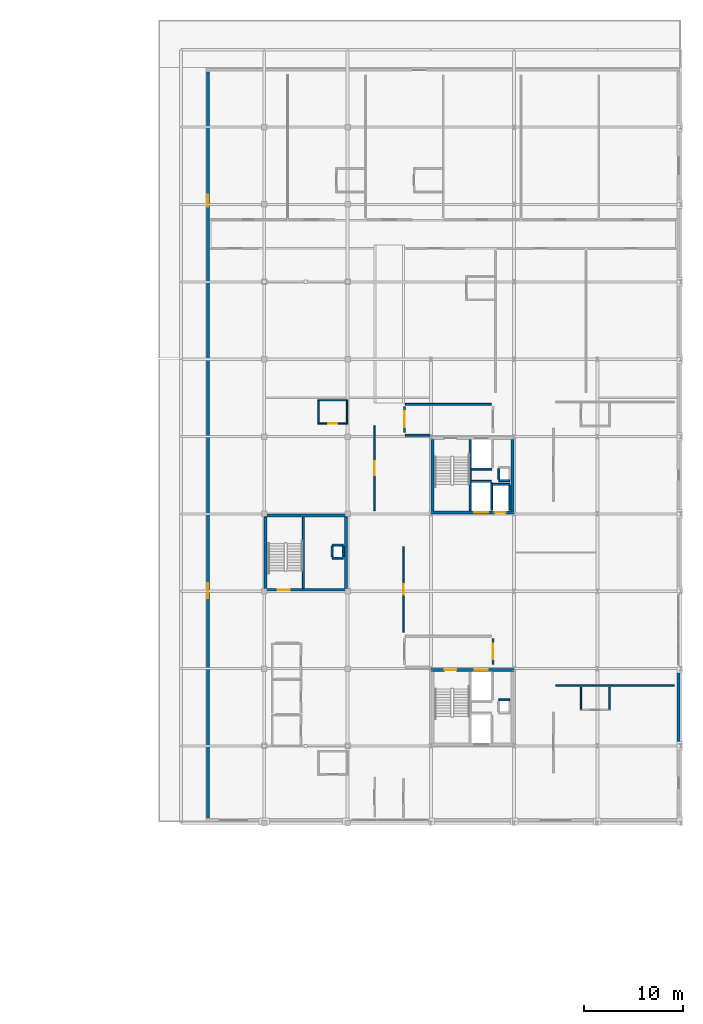
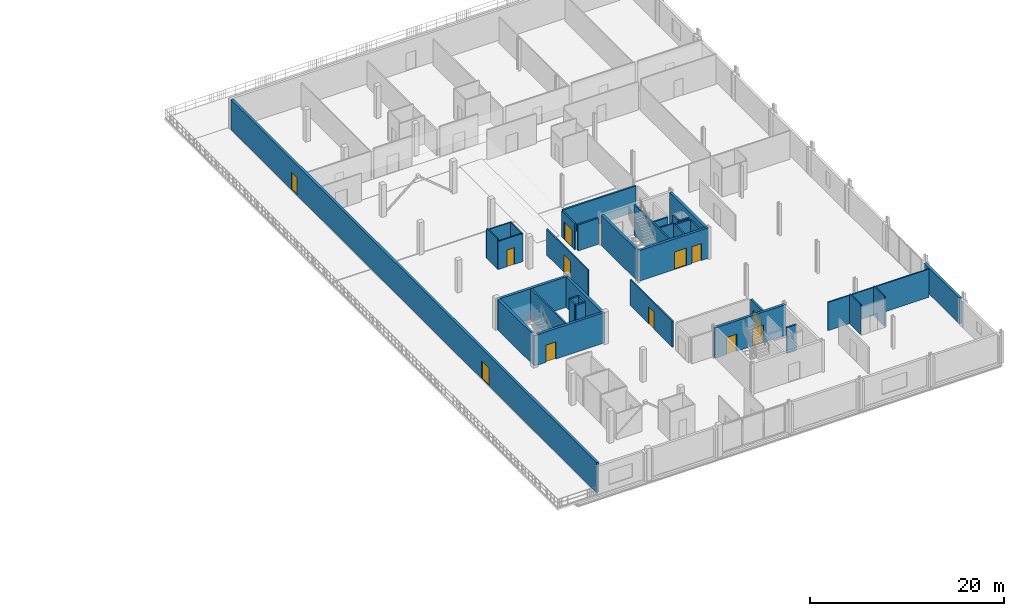
# One storey, part 11 of 20: 37 walls, 12 doors, 12 openings.
"""IFC4 building model written with IfcOpenShell, lengths in metres."""

from ifc_helpers import new_model, si_unit, direction, frame, frame_2d, origin, place, context, subcontext, project, spatial, rectangle, extrude, material, layer, layer_set, type_object, element, fill, save


model = new_model("IFC4")

# Units and contexts
model_context = context("Model", 3, precision=1e-05, world=origin(), true_north=direction((0.0, 1.0)))
body_context = subcontext(model_context, "Body", "Model", "MODEL_VIEW")
ifc_project = project(units=[si_unit("LENGTHUNIT", "METRE"), si_unit("AREAUNIT", "SQUARE_METRE"), si_unit("VOLUMEUNIT", "CUBIC_METRE"), si_unit("PLANEANGLEUNIT", "RADIAN"), si_unit("MASSUNIT", "GRAM", prefix="KILO")], contexts=[model_context])

# Site, building, storey
site_placement = place(None, origin())
site = spatial("IfcSite", under=ifc_project, at=site_placement, CompositionType="ELEMENT")
building_placement = place(site_placement, origin())
building = spatial("IfcBuilding", under=site, at=building_placement, Name="Nabrawat Pavilion Hospital", CompositionType="ELEMENT")
storey_placement = place(building_placement, frame((0.0, 0.0, 27.0)))
storey = spatial("IfcBuildingStorey", under=building, at=storey_placement, Name="L06", CompositionType="ELEMENT", Elevation=27.0)

# Wall, opening, door
ifc_material_1 = material(Name="Gypsum Fireboard on Steel Stud", Category="steel")
ifc_layer_1 = layer(ifc_material_1, 0.14990234375, Name="Gypsum Fireboard on Steel Stud")
ifc_layer_set_1 = layer_set([ifc_layer_1], Name="Gypsum Fireboard on Steel Stud")
wall_type_1 = type_object("IfcWallType", Name="Clinical Corridor Smoke-Barrier Wall 150", PredefinedType="PARTITIONING", material=ifc_layer_set_1)
wall_1_placement = place(storey_placement, frame((162.3349609375, 70.52001953125, 0.0), z_axis=(0.0, 0.0, 1.0), x_axis=(0.0, 1.0, 0.0)))
wall_1 = element("IfcWall", 1, at=wall_1_placement, inside=storey, type_object=wall_type_1, Name="L06 Inpatient Ward Video-EEG Telemetry Bedroom L06-02 Front Partition", PredefinedType="PARTITIONING", context=body_context, shape_type="SweptSolid", body=[
    extrude(rectangle(XDim=8.550048828125, YDim=0.14990234375, at=frame_2d((4.27490234375, 0.0))), origin(), (0.0, 0.0, 1.0), 3.260009765625),
])
opening_1_placement = place(wall_1_placement, frame((3.574951171875, 0.0, 0.0)))
opening_1 = element("IfcOpeningElement", 2, at=opening_1_placement, cuts=wall_1, Name="Opening D-BED", PredefinedType="OPENING", context=body_context, shape_type="SweptSolid", body=[
    extrude(rectangle(XDim=1.39990234375, YDim=2.199951171875, at=frame_2d((0.699951171875, 1.10009765625))), frame((0.0, 0.0849609375, 0.0), z_axis=(0.0, -1.0, 0.0), x_axis=(1.0, 0.0, 0.0)), (0.0, 0.0, 1.0), 0.169921875),
])
ifc_material_2 = material(Name="Stainless-Clad Acoustic Timber and Vision Glass", Category="wood")
door_type_1 = type_object("IfcDoorType", Name="D-BED Inpatient Ward Leaf-and-a-Half Door 1400x2200", OperationType="NOTDEFINED", PredefinedType="DOOR", material=ifc_material_2)
door_1_placement = place(opening_1_placement, origin())
door_1 = element("IfcDoor", 3, at=door_1_placement, inside=storey, type_object=door_type_1, Name="Inpatient Ward Video-EEG Telemetry Bedroom L06-02 Door", OperationType="SINGLE_SWING_LEFT", OverallHeight=2.199951171875, OverallWidth=1.39990234375, PredefinedType="DOOR", context=body_context, shape_type="SweptSolid", body=[
    extrude(rectangle(XDim=1.39990234375, YDim=2.199951171875, at=frame_2d((0.699951171875, 1.10009765625))), frame((0.0, 0.02490234375, 0.0), z_axis=(0.0, -1.0, 0.0), x_axis=(1.0, 0.0, 0.0)), (0.0, 0.0, 1.0), 0.050048828125),
])
fill(opening_1, door_1)

wall_2_placement = place(storey_placement, frame((165.264892578125, 58.25, 0.0), z_axis=(0.0, 0.0, 1.0), x_axis=(0.0, 1.0, 0.0)))
wall_2 = element("IfcWall", 4, at=wall_2_placement, inside=storey, type_object=wall_type_1, Name="L06 Neurology Sub-Acute Clinical Assessment Suite L06-04 Front Partition", PredefinedType="PARTITIONING", context=body_context, shape_type="SweptSolid", body=[
    extrude(rectangle(XDim=8.64990234375, YDim=0.14990234375, at=frame_2d((4.324951171875, 0.0))), origin(), (0.0, 0.0, 1.0), 3.260009765625),
])
opening_2_placement = place(wall_2_placement, frame((3.800048828125, 0.0, 0.0)))
opening_2 = element("IfcOpeningElement", 5, at=opening_2_placement, cuts=wall_2, Name="Opening D-OPC-L", PredefinedType="OPENING", context=body_context, shape_type="SweptSolid", body=[
    extrude(rectangle(XDim=1.050048828125, YDim=2.14990234375, at=frame_2d((0.52490234375, 1.074951171875))), frame((0.0, 0.0849609375, 0.0), z_axis=(0.0, -1.0, 0.0), x_axis=(1.0, 0.0, 0.0)), (0.0, 0.0, 1.0), 0.169921875),
])
door_type_2 = type_object("IfcDoorType", Name="Outpatient Clinic Consultation Door L 1050x2150", OperationType="NOTDEFINED", PredefinedType="DOOR", material=ifc_material_2)
door_2_placement = place(opening_2_placement, origin())
door_2 = element("IfcDoor", 6, at=door_2_placement, inside=storey, type_object=door_type_2, Name="Neurology Sub-Acute Clinical Assessment Suite L06-04 Door", OperationType="SINGLE_SWING_RIGHT", OverallHeight=2.14990234375, OverallWidth=1.050048828125, PredefinedType="DOOR", context=body_context, shape_type="SweptSolid", body=[
    extrude(rectangle(XDim=1.050048828125, YDim=2.14990234375, at=frame_2d((0.52490234375, 1.074951171875))), frame((0.0, 0.02490234375, 0.0), z_axis=(0.0, -1.0, 0.0), x_axis=(1.0, 0.0, 0.0)), (0.0, 0.0, 1.0), 0.050048828125),
])
fill(opening_2, door_2)

ifc_material_3 = material(Name="Cement Board on Steel Stud", Category="steel")
ifc_layer_2 = layer(ifc_material_3, 0.1298828125, Name="Cement Board on Steel Stud")
ifc_layer_set_2 = layer_set([ifc_layer_2], Name="Cement Board on Steel Stud")
wall_type_2 = type_object("IfcWallType", Name="En-Suite Moisture-Resistant Partition 130", PredefinedType="PARTITIONING", material=ifc_layer_set_2)
wall_3_placement = place(storey_placement, frame((156.6201171875, 79.31005859375, 0.0), z_axis=(0.0, 0.0, 1.0), x_axis=(1.0, 0.0, 0.0)))
wall_3 = element("IfcWall", 7, at=wall_3_placement, inside=storey, type_object=wall_type_2, Name="L06 En-Suite Bathroom WRD-EPI-02 Front Partition", PredefinedType="PARTITIONING", context=body_context, shape_type="SweptSolid", body=[
    extrude(rectangle(XDim=2.97998046875, YDim=0.1298828125, at=frame_2d((1.489990234375, 0.0))), origin(), (0.0, 0.0, 1.0), 3.5400390625),
])
opening_3_placement = place(wall_3_placement, frame((1.0400390625, 0.0, 0.0)))
opening_3 = element("IfcOpeningElement", 8, at=opening_3_placement, cuts=wall_3, Name="Opening D-ENS-L", PredefinedType="OPENING", context=body_context, shape_type="SweptSolid", body=[
    extrude(rectangle(XDim=0.89990234375, YDim=2.10009765625, at=frame_2d((0.449951171875, 1.050048828125))), frame((0.0, 0.074951171875, 0.0), z_axis=(0.0, -1.0, 0.0), x_axis=(1.0, 0.0, 0.0)), (0.0, 0.0, 1.0), 0.14990234375),
])
door_type_3 = type_object("IfcDoorType", Name="En-Suite Bathroom Outward Door L 900x2100", OperationType="NOTDEFINED", PredefinedType="DOOR", material=ifc_material_2)
door_3_placement = place(opening_3_placement, origin())
door_3 = element("IfcDoor", 9, at=door_3_placement, inside=storey, type_object=door_type_3, Name="En-Suite Bathroom WRD-EPI-02 Door", OperationType="SINGLE_SWING_RIGHT", OverallHeight=2.10009765625, OverallWidth=0.89990234375, PredefinedType="DOOR", context=body_context, shape_type="SweptSolid", body=[
    extrude(rectangle(XDim=0.89990234375, YDim=2.10009765625, at=frame_2d((0.449951171875, 1.050048828125))), frame((0.0, 0.02490234375, 0.0), z_axis=(0.0, -1.0, 0.0), x_axis=(1.0, 0.0, 0.0)), (0.0, 0.0, 1.0), 0.050048828125),
])
fill(opening_3, door_3)

# Walls
wall_4_placement = place(storey_placement, frame((156.6201171875, 81.659912109375, 0.0), z_axis=(0.0, 0.0, 1.0), x_axis=(1.0, 0.0, 0.0)))
element("IfcWall", 10, at=wall_4_placement, inside=storey, type_object=wall_type_2, Name="L06 En-Suite Bathroom WRD-EPI-02 North Partition", PredefinedType="PARTITIONING", context=body_context, shape_type="SweptSolid", body=[
    extrude(rectangle(XDim=2.97998046875, YDim=0.1298828125, at=frame_2d((1.489990234375, 0.0))), origin(), (0.0, 0.0, 1.0), 3.5400390625),
])
wall_5_placement = place(storey_placement, frame((156.68505859375, 79.375, 0.0), z_axis=(0.0, 0.0, 1.0), x_axis=(0.0, 1.0, 0.0)))
element("IfcWall", 11, at=wall_5_placement, inside=storey, type_object=wall_type_2, Name="L06 En-Suite Bathroom WRD-EPI-02 West Partition", PredefinedType="PARTITIONING", context=body_context, shape_type="SweptSolid", body=[
    extrude(rectangle(XDim=2.219970703125, YDim=0.1298828125, at=frame_2d((1.10986328125, 0.0))), origin(), (0.0, 0.0, 1.0), 3.77001953125),
])
wall_6_placement = place(storey_placement, frame((159.534912109375, 79.375, 0.0), z_axis=(0.0, 0.0, 1.0), x_axis=(0.0, 1.0, 0.0)))
element("IfcWall", 12, at=wall_6_placement, inside=storey, type_object=wall_type_2, Name="L06 En-Suite Bathroom WRD-EPI-02 East Partition", PredefinedType="PARTITIONING", context=body_context, shape_type="SweptSolid", body=[
    extrude(rectangle(XDim=2.219970703125, YDim=0.1298828125, at=frame_2d((1.10986328125, 0.0))), origin(), (0.0, 0.0, 1.0), 3.5400390625),
])
for number, where, z_axis, x_axis, name in (
    (13, (183.14990234375, 50.514892578125, 0.0), (0.0, 0.0, 1.0), (0.0, 1.0, 0.0), "L06 En-Suite Bathroom WRD-NEU-E1 West Partition"),
    (14, (186.0, 50.514892578125, 0.0), (0.0, 0.0, 1.0), (0.0, 1.0, 0.0), "L06 En-Suite Bathroom WRD-NEU-E1 East Partition"),
):
    element("IfcWall", number, at=place(storey_placement, frame(where, z_axis=z_axis, x_axis=x_axis)), inside=storey, type_object=wall_type_2, Name=name, PredefinedType="PARTITIONING", context=body_context, shape_type="SweptSolid", body=[
        extrude(rectangle(XDim=2.22021484375, YDim=0.1298828125, at=frame_2d((1.110107421875, 0.0))), origin(), (0.0, 0.0, 1.0), 3.77001953125),
    ])

# Wall, opening, door
ifc_material_4 = material(Name="Concrete C35/45", Category="concrete")
ifc_layer_3 = layer(ifc_material_4, 0.199951171875, Name="Concrete C35/45")
ifc_layer_set_3 = layer_set([ifc_layer_3], Name="Concrete C35/45")
wall_type_3 = type_object("IfcWallType", Name="Firefighting Lobby Compartment Wall 200", PredefinedType="PARTITIONING", material=ifc_layer_set_3)
wall_7_placement = place(storey_placement, frame((174.25, 55.0, 0.0), z_axis=(0.0, 0.0, 1.0), x_axis=(0.0, 1.0, 0.0)))
wall_7 = element("IfcWall", 15, at=wall_7_placement, inside=storey, type_object=wall_type_3, Name="L06 CORE-5 Firefighting Lobby East Compartment Wall", PredefinedType="PARTITIONING", context=body_context, shape_type="SweptSolid", body=[
    extrude(rectangle(XDim=2.64990234375, YDim=0.199951171875, at=frame_2d((1.324951171875, 0.0))), origin(), (0.0, 0.0, 1.0), 3.260009765625),
])
opening_4_placement = place(wall_7_placement, frame((0.52490234375, 0.0, 0.0)))
opening_4 = element("IfcOpeningElement", 16, at=opening_4_placement, cuts=wall_7, Name="Opening D-FFL", PredefinedType="OPENING", context=body_context, shape_type="SweptSolid", body=[
    extrude(rectangle(XDim=1.60009765625, YDim=2.199951171875, at=frame_2d((0.800048828125, 1.10009765625))), frame((0.0, 0.10986328125, 0.0), z_axis=(0.0, -1.0, 0.0), x_axis=(1.0, 0.0, 0.0)), (0.0, 0.0, 1.0), 0.219970703125),
])
door_type_4 = type_object("IfcDoorType", Name="D-FFL Firefighting Lobby Double Smoke Door 1600x2200", OperationType="NOTDEFINED", PredefinedType="DOOR", material=ifc_material_2)
door_4_placement = place(opening_4_placement, origin())
door_4 = element("IfcDoor", 17, at=door_4_placement, inside=storey, type_object=door_type_4, Name="L06 CORE-5 Firefighting Lobby East Smoke Door", OperationType="DOUBLE_DOOR_SINGLE_SWING", OverallHeight=2.199951171875, OverallWidth=1.60009765625, PredefinedType="DOOR", context=body_context, shape_type="SweptSolid", body=[
    extrude(rectangle(XDim=1.60009765625, YDim=2.199951171875, at=frame_2d((0.800048828125, 1.10009765625))), frame((0.0, 0.02490234375, 0.0), z_axis=(0.0, -1.0, 0.0), x_axis=(1.0, 0.0, 0.0)), (0.0, 0.0, 1.0), 0.050048828125),
])
fill(opening_4, door_4)

# Walls
wall_8_placement = place(storey_placement, frame((165.43994140625, 78.14990234375, 0.0), z_axis=(0.0, 0.0, 1.0), x_axis=(1.0, 0.0, 0.0)))
element("IfcWall", 18, at=wall_8_placement, inside=storey, type_object=wall_type_3, Name="L06 CORE-6 Firefighting Lobby South Return Wall", PredefinedType="PARTITIONING", context=body_context, shape_type="SweptSolid", body=[
    extrude(rectangle(XDim=2.43994140625, YDim=0.199951171875, at=frame_2d((1.219970703125, 0.0))), origin(), (0.0, 0.0, 1.0), 3.260009765625),
])
wall_9_placement = place(storey_placement, frame((165.43994140625, 81.25, 0.0), z_axis=(0.0, 0.0, 1.0), x_axis=(1.0, 0.0, 0.0)))
element("IfcWall", 19, at=wall_9_placement, inside=storey, type_object=wall_type_3, Name="L06 CORE-6 Firefighting Lobby North Compartment Wall", PredefinedType="PARTITIONING", context=body_context, shape_type="SweptSolid", body=[
    extrude(rectangle(XDim=8.66015625, YDim=0.199951171875, at=frame_2d((4.330078125, 0.0))), origin(), (0.0, 0.0, 1.0), 3.260009765625),
])

# Wall, opening, door
wall_10_placement = place(storey_placement, frame((165.320068359375, 78.39990234375, 0.0), z_axis=(0.0, 0.0, 1.0), x_axis=(0.0, 1.0, 0.0)))
wall_10 = element("IfcWall", 20, at=wall_10_placement, inside=storey, type_object=wall_type_3, Name="L06 CORE-6 Firefighting Lobby West Compartment Wall", PredefinedType="PARTITIONING", context=body_context, shape_type="SweptSolid", body=[
    extrude(rectangle(XDim=2.650146484375, YDim=0.199951171875, at=frame_2d((1.3251953125, 0.0))), origin(), (0.0, 0.0, 1.0), 3.260009765625),
])
opening_5_placement = place(wall_10_placement, frame((0.52490234375, 0.0, 0.0)))
opening_5 = element("IfcOpeningElement", 21, at=opening_5_placement, cuts=wall_10, Name="Opening D-FFL", PredefinedType="OPENING", context=body_context, shape_type="SweptSolid", body=[
    extrude(rectangle(XDim=1.60009765625, YDim=2.199951171875, at=frame_2d((0.800048828125, 1.10009765625))), frame((0.0, 0.10986328125, 0.0), z_axis=(0.0, -1.0, 0.0), x_axis=(1.0, 0.0, 0.0)), (0.0, 0.0, 1.0), 0.219970703125),
])
door_5_placement = place(opening_5_placement, origin())
door_5 = element("IfcDoor", 22, at=door_5_placement, inside=storey, type_object=door_type_4, Name="L06 CORE-6 Firefighting Lobby West Smoke Door", OperationType="DOUBLE_DOOR_SINGLE_SWING", OverallHeight=2.199951171875, OverallWidth=1.60009765625, PredefinedType="DOOR", context=body_context, shape_type="SweptSolid", body=[
    extrude(rectangle(XDim=1.60009765625, YDim=2.199951171875, at=frame_2d((0.800048828125, 1.10009765625))), frame((0.0, 0.02490234375, 0.0), z_axis=(0.0, -1.0, 0.0), x_axis=(1.0, 0.0, 0.0)), (0.0, 0.0, 1.0), 0.050048828125),
])
fill(opening_5, door_5)

# Wall
ifc_material_5 = material(Name="Acoustic Gypsum on Steel Stud", Category="steel")
ifc_layer_4 = layer(ifc_material_5, 0.139892578125, Name="Acoustic Gypsum on Steel Stud")
ifc_layer_set_4 = layer_set([ifc_layer_4], Name="Acoustic Gypsum on Steel Stud")
wall_type_4 = type_object("IfcWallType", Name="Inpatient Ward Acoustic Partition 140", PredefinedType="PARTITIONING", material=ifc_layer_set_4)
wall_11_placement = place(storey_placement, frame((180.570068359375, 52.8798828125, 0.0), z_axis=(0.0, 0.0, 1.0), x_axis=(1.0, 0.0, 0.0)))
element("IfcWall", 23, at=wall_11_placement, inside=storey, type_object=wall_type_4, Name="L06 Inpatient Ward Stroke Recovery Suite L06-E1 Dividing Partition", PredefinedType="PARTITIONING", context=body_context, shape_type="SweptSolid", body=[
    extrude(rectangle(XDim=11.97998046875, YDim=0.139892578125, at=frame_2d((5.989990234375, 0.0))), origin(), (0.0, 0.0, 1.0), 3.5400390625),
])

# Wall, openings, doors
ifc_material_6 = material(Name="Precast concrete C40/50", Category="concrete")
ifc_layer_5 = layer(ifc_material_6, 0.280029296875, Name="Precast concrete C40/50")
ifc_layer_set_5 = layer_set([ifc_layer_5], Name="Precast concrete C40/50")
wall_type_5 = type_object("IfcWallType", Name="Insulated Precast Facade Wall 280", PredefinedType="SOLIDWALL", material=ifc_layer_set_5)
wall_12_placement = place(storey_placement, frame((145.5400390625, 39.56005859375, 0.0), z_axis=(0.0, 0.0, 1.0), x_axis=(0.0, 1.0, 0.0)))
wall_12 = element("IfcWall", 24, at=wall_12_placement, inside=storey, type_object=wall_type_5, Name="L06 Insulated Precast Facade Wall 280 400", PredefinedType="SOLIDWALL", context=body_context, shape_type="SweptSolid", body=[
    extrude(rectangle(XDim=75.199951171875, YDim=0.280029296875, at=frame_2d((37.60009765625, 0.0))), origin(), (0.0, 0.0, 1.0), 3.77001953125),
])
opening_6_placement = place(wall_12_placement, frame((22.14990234375, 0.0, 0.0)))
opening_6 = element("IfcOpeningElement", 25, at=opening_6_placement, cuts=wall_12, Name="Opening ED-TER-150", PredefinedType="OPENING", context=body_context, shape_type="SweptSolid", body=[
    extrude(rectangle(XDim=1.5, YDim=2.199951171875, at=frame_2d((0.75, 1.10009765625))), frame((0.0, 0.14990234375, 0.0), z_axis=(0.0, -1.0, 0.0), x_axis=(1.0, 0.0, 0.0)), (0.0, 0.0, 1.0), 0.300048828125),
])
opening_7_placement = place(wall_12_placement, frame((61.60009765625, 0.0, 0.0)))
opening_7 = element("IfcOpeningElement", 26, at=opening_7_placement, cuts=wall_12, Name="Opening ED-TER-120", PredefinedType="OPENING", context=body_context, shape_type="SweptSolid", body=[
    extrude(rectangle(XDim=1.199951171875, YDim=2.199951171875, at=frame_2d((0.60009765625, 1.10009765625))), frame((0.0, 0.14990234375, 0.0), z_axis=(0.0, -1.0, 0.0), x_axis=(1.0, 0.0, 0.0)), (0.0, 0.0, 1.0), 0.300048828125),
])
ifc_material_7 = material(Name="Powder-Coated Galvanised Steel and Safety Glass", Category="steel")
door_type_5 = type_object("IfcDoorType", Name="Clinical Recovery Terrace Double Door 1500x2200", OperationType="NOTDEFINED", PredefinedType="DOOR", material=ifc_material_7)
door_6_placement = place(opening_6_placement, origin())
door_6 = element("IfcDoor", 27, at=door_6_placement, inside=storey, type_object=door_type_5, Name="L06 Clinical Recovery Terrace Door T_L06_WARD_WEST_S", OperationType="DOUBLE_DOOR_SINGLE_SWING", OverallHeight=2.199951171875, OverallWidth=1.5, PredefinedType="DOOR", context=body_context, shape_type="SweptSolid", body=[
    extrude(rectangle(XDim=1.5, YDim=2.199951171875, at=frame_2d((0.75, 1.10009765625))), frame((0.0, 0.02490234375, 0.0), z_axis=(0.0, -1.0, 0.0), x_axis=(1.0, 0.0, 0.0)), (0.0, 0.0, 1.0), 0.050048828125),
])
fill(opening_6, door_6)
door_type_6 = type_object("IfcDoorType", Name="Ward Balcony Single Glazed Door 1200x2200", OperationType="NOTDEFINED", PredefinedType="DOOR", material=ifc_material_7)
door_7_placement = place(opening_7_placement, origin())
door_7 = element("IfcDoor", 28, at=door_7_placement, inside=storey, type_object=door_type_6, Name="L06 Clinical Recovery Terrace Door T_L06_WARD_WEST_N", OperationType="SINGLE_SWING_LEFT", OverallHeight=2.199951171875, OverallWidth=1.199951171875, PredefinedType="DOOR", context=body_context, shape_type="SweptSolid", body=[
    extrude(rectangle(XDim=1.199951171875, YDim=2.199951171875, at=frame_2d((0.60009765625, 1.10009765625))), frame((0.0, 0.02490234375, 0.0), z_axis=(0.0, -1.0, 0.0), x_axis=(1.0, 0.0, 0.0)), (0.0, 0.0, 1.0), 0.050048828125),
])
fill(opening_7, door_7)

# Walls
wall_13_placement = place(storey_placement, frame((192.97998046875, 47.050048828125, 0.0), z_axis=(0.0, 0.0, 1.0), x_axis=(0.0, 1.0, 0.0)))
element("IfcWall", 29, at=wall_13_placement, inside=storey, type_object=wall_type_5, Name="L06 Insulated Precast Facade Wall 280 408", PredefinedType="SOLIDWALL", context=body_context, shape_type="SweptSolid", body=[
    extrude(rectangle(XDim=7.300048828125, YDim=0.280029296875, at=frame_2d((3.64990234375, 0.0))), origin(), (0.0, 0.0, 1.0), 3.260009765625),
])
ifc_layer_6 = layer(ifc_material_4, 0.199951171875, Name="Concrete C35/45")
ifc_layer_set_6 = layer_set([ifc_layer_6], Name="Concrete C35/45")
wall_type_6 = type_object("IfcWallType", Name="Lift and Riser Fire Shaft Wall 200", PredefinedType="PARTITIONING", material=ifc_layer_set_6)
wall_14_placement = place(storey_placement, frame((174.85009765625, 51.449951171875, 0.0), z_axis=(0.0, 0.0, 1.0), x_axis=(1.0, 0.0, 0.0)))
element("IfcWall", 30, at=wall_14_placement, inside=storey, type_object=wall_type_6, Name="L06 CORE-5 MEP Riser Shaft Wall N", PredefinedType="PARTITIONING", context=body_context, shape_type="SweptSolid", body=[
    extrude(rectangle(XDim=1.099853515625, YDim=0.199951171875, at=frame_2d((0.5498046875, 0.0))), origin(), (0.0, 0.0, 1.0), 3.260009765625),
])
wall_15_placement = place(storey_placement, frame((171.949951171875, 70.52001953125, 0.0), z_axis=(0.0, 0.0, 1.0), x_axis=(0.0, 1.0, 0.0)))
element("IfcWall", 31, at=wall_15_placement, inside=storey, type_object=wall_type_6, Name="L06 CORE-6 Stair-Lift Dividing Shear Wall", PredefinedType="SHEAR", context=body_context, shape_type="SweptSolid", body=[
    extrude(rectangle(XDim=7.159912109375, YDim=0.199951171875, at=frame_2d((3.580078125, 0.0))), origin(), (0.0, 0.0, 1.0), 3.830078125),
])
wall_16_placement = place(storey_placement, frame((174.85009765625, 73.550048828125, 0.0), z_axis=(0.0, 0.0, 1.0), x_axis=(1.0, 0.0, 0.0)))
element("IfcWall", 32, at=wall_16_placement, inside=storey, type_object=wall_type_6, Name="L06 CORE-6 MEP Riser Shaft Wall S", PredefinedType="PARTITIONING", context=body_context, shape_type="SweptSolid", body=[
    extrude(rectangle(XDim=1.099853515625, YDim=0.199951171875, at=frame_2d((0.5498046875, 0.0))), origin(), (0.0, 0.0, 1.0), 3.260009765625),
])
wall_17_placement = place(storey_placement, frame((174.85009765625, 73.669921875, 0.0), z_axis=(0.0, 0.0, 1.0), x_axis=(0.0, 1.0, 0.0)))
element("IfcWall", 33, at=wall_17_placement, inside=storey, type_object=wall_type_6, Name="L06 CORE-6 MEP Riser Shaft Wall W", PredefinedType="PARTITIONING", context=body_context, shape_type="SweptSolid", body=[
    extrude(rectangle(XDim=1.06005859375, YDim=0.199951171875, at=frame_2d((0.530029296875, 0.0))), origin(), (0.0, 0.0, 1.0), 3.260009765625),
])
wall_18_placement = place(storey_placement, frame((172.050048828125, 74.719970703125, 0.0), z_axis=(0.0, 0.0, 1.0), x_axis=(1.0, 0.0, 0.0)))
element("IfcWall", 34, at=wall_18_placement, inside=storey, type_object=wall_type_6, Name="L06 Lift LF-02 Shaft Back Wall", PredefinedType="PARTITIONING", context=body_context, shape_type="SweptSolid", body=[
    extrude(rectangle(XDim=2.099853515625, YDim=0.199951171875, at=frame_2d((1.0498046875, 0.0))), origin(), (0.0, 0.0, 1.0), 3.260009765625),
])
wall_19_placement = place(storey_placement, frame((174.139892578125, 70.580078125, 0.0), z_axis=(0.0, 0.0, 1.0), x_axis=(0.0, 1.0, 0.0)))
element("IfcWall", 35, at=wall_19_placement, inside=storey, type_object=wall_type_6, Name="L06 Lift LB-04 Shaft East Wall", PredefinedType="PARTITIONING", context=body_context, shape_type="SweptSolid", body=[
    extrude(rectangle(XDim=2.739990234375, YDim=0.199951171875, at=frame_2d((1.3701171875, 0.0))), origin(), (0.0, 0.0, 1.0), 3.260009765625),
])
wall_20_placement = place(storey_placement, frame((172.050048828125, 73.47998046875, 0.0), z_axis=(0.0, 0.0, 1.0), x_axis=(1.0, 0.0, 0.0)))
element("IfcWall", 36, at=wall_20_placement, inside=storey, type_object=wall_type_6, Name="L06 Lift LB-04 Shaft Back Wall", PredefinedType="PARTITIONING", context=body_context, shape_type="SweptSolid", body=[
    extrude(rectangle(XDim=2.06005859375, YDim=0.199951171875, at=frame_2d((1.030029296875, 0.0))), origin(), (0.0, 0.0, 1.0), 3.260009765625),
])
wall_21_placement = place(storey_placement, frame((175.9599609375, 70.580078125, 0.0), z_axis=(0.0, 0.0, 1.0), x_axis=(0.0, 1.0, 0.0)))
element("IfcWall", 37, at=wall_21_placement, inside=storey, type_object=wall_type_6, Name="L06 Lift LS-02 Shaft East Wall", PredefinedType="PARTITIONING", context=body_context, shape_type="SweptSolid", body=[
    extrude(rectangle(XDim=2.43994140625, YDim=0.199951171875, at=frame_2d((1.219970703125, 0.0))), origin(), (0.0, 0.0, 1.0), 3.260009765625),
])
wall_22_placement = place(storey_placement, frame((174.070068359375, 73.179931640625, 0.0), z_axis=(0.0, 0.0, 1.0), x_axis=(1.0, 0.0, 0.0)))
element("IfcWall", 38, at=wall_22_placement, inside=storey, type_object=wall_type_6, Name="L06 Lift LS-02 Shaft Back Wall", PredefinedType="PARTITIONING", context=body_context, shape_type="SweptSolid", body=[
    extrude(rectangle(XDim=1.85986328125, YDim=0.199951171875, at=frame_2d((0.929931640625, 0.0))), origin(), (0.0, 0.0, 1.0), 3.260009765625),
])
wall_23_placement = place(storey_placement, frame((155.14990234375, 62.719970703125, 0.0), z_axis=(0.0, 0.0, 1.0), x_axis=(0.0, 1.0, 0.0)))
element("IfcWall", 39, at=wall_23_placement, inside=storey, type_object=wall_type_6, Name="L06 CORE-9 Stair-Lift Dividing Shear Wall", PredefinedType="SHEAR", context=body_context, shape_type="SweptSolid", body=[
    extrude(rectangle(XDim=7.159912109375, YDim=0.199951171875, at=frame_2d((3.580078125, 0.0))), origin(), (0.0, 0.0, 1.0), 3.830078125),
])
for number, where, z_axis, x_axis, name in (
    (40, (158.050048828125, 65.75, 0.0), (0.0, 0.0, 1.0), (1.0, 0.0, 0.0), "L06 CORE-9 MEP Riser Shaft Wall S"),
    (41, (158.050048828125, 67.050048828125, 0.0), (0.0, 0.0, 1.0), (1.0, 0.0, 0.0), "L06 CORE-9 MEP Riser Shaft Wall N"),
):
    element("IfcWall", number, at=place(storey_placement, frame(where, z_axis=z_axis, x_axis=x_axis)), inside=storey, type_object=wall_type_6, Name=name, PredefinedType="PARTITIONING", context=body_context, shape_type="SweptSolid", body=[
        extrude(rectangle(XDim=1.099853515625, YDim=0.199951171875, at=frame_2d((0.5498046875, 0.0))), origin(), (0.0, 0.0, 1.0), 3.260009765625),
    ])
for number, where, z_axis, x_axis, name in (
    (42, (158.050048828125, 65.8701171875, 0.0), (0.0, 0.0, 1.0), (0.0, 1.0, 0.0), "L06 CORE-9 MEP Riser Shaft Wall W"),
    (43, (159.14990234375, 65.8701171875, 0.0), (0.0, 0.0, 1.0), (0.0, 1.0, 0.0), "L06 CORE-9 MEP Riser Shaft Wall E"),
):
    element("IfcWall", number, at=place(storey_placement, frame(where, z_axis=z_axis, x_axis=x_axis)), inside=storey, type_object=wall_type_6, Name=name, PredefinedType="PARTITIONING", context=body_context, shape_type="SweptSolid", body=[
        extrude(rectangle(XDim=1.059814453125, YDim=0.199951171875, at=frame_2d((0.52978515625, 0.0))), origin(), (0.0, 0.0, 1.0), 3.260009765625),
    ])

# Wall, openings, doors
ifc_material_8 = material(Name="Concrete C40/50", Category="concrete")
ifc_layer_7 = layer(ifc_material_8, 0.300048828125, Name="Concrete C40/50")
ifc_layer_set_7 = layer_set([ifc_layer_7], Name="Concrete C40/50")
wall_type_7 = type_object("IfcWallType", Name="Reinforced Concrete Core Shear Wall 300", PredefinedType="SHEAR", material=ifc_layer_set_7)
wall_24_placement = place(storey_placement, frame((168.0, 54.449951171875, 0.0), z_axis=(0.0, 0.0, 1.0), x_axis=(1.0, 0.0, 0.0)))
wall_24 = element("IfcWall", 44, at=wall_24_placement, inside=storey, type_object=wall_type_7, Name="L06 CORE-5 North Core Shear Wall", PredefinedType="SHEAR", context=body_context, shape_type="SweptSolid", body=[
    extrude(rectangle(XDim=8.39990234375, YDim=0.300048828125, at=frame_2d((4.199951171875, 0.0))), origin(), (0.0, 0.0, 1.0), 3.830078125),
])
opening_8_placement = place(wall_24_placement, frame((1.3798828125, 0.0, 0.0)))
opening_8 = element("IfcOpeningElement", 45, at=opening_8_placement, cuts=wall_24, Name="Opening D-STAIR", PredefinedType="OPENING", context=body_context, shape_type="SweptSolid", body=[
    extrude(rectangle(XDim=1.199951171875, YDim=2.14990234375, at=frame_2d((0.60009765625, 1.074951171875))), frame((0.0, 0.16015625, 0.0), z_axis=(0.0, -1.0, 0.0), x_axis=(1.0, 0.0, 0.0)), (0.0, 0.0, 1.0), 0.320068359375),
])
opening_9_placement = place(wall_24_placement, frame((4.449951171875, 0.0, 0.0)))
opening_9 = element("IfcOpeningElement", 46, at=opening_9_placement, cuts=wall_24, Name="Opening LD-LF-01", PredefinedType="OPENING", context=body_context, shape_type="SweptSolid", body=[
    extrude(rectangle(XDim=1.300048828125, YDim=2.199951171875, at=frame_2d((0.64990234375, 1.10009765625))), frame((0.0, 0.16015625, 0.0), z_axis=(0.0, -1.0, 0.0), x_axis=(1.0, 0.0, 0.0)), (0.0, 0.0, 1.0), 0.320068359375),
])
door_type_7 = type_object("IfcDoorType", Name="D-STAIR Exit Stair Fire Door 1200x2150", OperationType="NOTDEFINED", PredefinedType="DOOR", material=ifc_material_2)
door_8_placement = place(opening_8_placement, origin())
door_8 = element("IfcDoor", 47, at=door_8_placement, inside=storey, type_object=door_type_7, Name="L06 ST-05 Fire Exit Stair Door", OperationType="SINGLE_SWING_RIGHT", OverallHeight=2.14990234375, OverallWidth=1.199951171875, PredefinedType="DOOR", context=body_context, shape_type="SweptSolid", body=[
    extrude(rectangle(XDim=1.199951171875, YDim=2.14990234375, at=frame_2d((0.60009765625, 1.074951171875))), frame((0.0, 0.02490234375, 0.0), z_axis=(0.0, -1.0, 0.0), x_axis=(1.0, 0.0, 0.0)), (0.0, 0.0, 1.0), 0.050048828125),
])
fill(opening_8, door_8)
door_type_8 = type_object("IfcDoorType", Name="Firefighting Lift Sliding Landing Door 1300x2200", OperationType="DOUBLE_DOOR_SLIDING", PredefinedType="DOOR", material=ifc_material_2)
door_9_placement = place(opening_9_placement, origin())
door_9 = element("IfcDoor", 48, at=door_9_placement, inside=storey, type_object=door_type_8, Name="L06 Lift LF-01 Sliding Landing Door", OperationType="DOUBLE_DOOR_SLIDING", OverallHeight=2.199951171875, OverallWidth=1.300048828125, PredefinedType="DOOR", context=body_context, shape_type="SweptSolid", body=[
    extrude(rectangle(XDim=1.300048828125, YDim=2.199951171875, at=frame_2d((0.64990234375, 1.10009765625))), frame((0.0, 0.02490234375, 0.0), z_axis=(0.0, -1.0, 0.0), x_axis=(1.0, 0.0, 0.0)), (0.0, 0.0, 1.0), 0.050048828125),
])
fill(opening_9, door_9)

wall_25_placement = place(storey_placement, frame((168.0, 70.35009765625, 0.0), z_axis=(0.0, 0.0, 1.0), x_axis=(1.0, 0.0, 0.0)))
wall_25 = element("IfcWall", 49, at=wall_25_placement, inside=storey, type_object=wall_type_7, Name="L06 CORE-6 South Core Shear Wall", PredefinedType="SHEAR", context=body_context, shape_type="SweptSolid", body=[
    extrude(rectangle(XDim=8.39990234375, YDim=0.300048828125, at=frame_2d((4.199951171875, 0.0))), origin(), (0.0, 0.0, 1.0), 3.830078125),
])
opening_10_placement = place(wall_25_placement, frame((4.3798828125, 0.0, 0.0)))
opening_10 = element("IfcOpeningElement", 50, at=opening_10_placement, cuts=wall_25, Name="Opening LD-LB-04", PredefinedType="OPENING", context=body_context, shape_type="SweptSolid", body=[
    extrude(rectangle(XDim=1.39990234375, YDim=2.199951171875, at=frame_2d((0.699951171875, 1.10009765625))), frame((0.0, 0.16015625, 0.0), z_axis=(0.0, -1.0, 0.0), x_axis=(1.0, 0.0, 0.0)), (0.0, 0.0, 1.0), 0.320068359375),
])
opening_11_placement = place(wall_25_placement, frame((6.449951171875, 0.0, 0.0)))
opening_11 = element("IfcOpeningElement", 51, at=opening_11_placement, cuts=wall_25, Name="Opening LD-LS-02", PredefinedType="OPENING", context=body_context, shape_type="SweptSolid", body=[
    extrude(rectangle(XDim=1.10009765625, YDim=2.14990234375, at=frame_2d((0.550048828125, 1.074951171875))), frame((0.0, 0.16015625, 0.0), z_axis=(0.0, -1.0, 0.0), x_axis=(1.0, 0.0, 0.0)), (0.0, 0.0, 1.0), 0.320068359375),
])
door_type_9 = type_object("IfcDoorType", Name="Hospital Bed Lift Sliding Landing Door 1400x2200", OperationType="DOUBLE_DOOR_SLIDING", PredefinedType="DOOR", material=ifc_material_2)
door_10_placement = place(opening_10_placement, origin())
door_10 = element("IfcDoor", 52, at=door_10_placement, inside=storey, type_object=door_type_9, Name="L06 Lift LB-04 Sliding Landing Door", OperationType="DOUBLE_DOOR_SLIDING", OverallHeight=2.199951171875, OverallWidth=1.39990234375, PredefinedType="DOOR", context=body_context, shape_type="SweptSolid", body=[
    extrude(rectangle(XDim=1.39990234375, YDim=2.199951171875, at=frame_2d((0.699951171875, 1.10009765625))), frame((0.0, 0.02490234375, 0.0), z_axis=(0.0, -1.0, 0.0), x_axis=(1.0, 0.0, 0.0)), (0.0, 0.0, 1.0), 0.050048828125),
])
fill(opening_10, door_10)
door_type_10 = type_object("IfcDoorType", Name="Passenger Lift Sliding Landing Door 1100x2150", OperationType="DOUBLE_DOOR_SLIDING", PredefinedType="DOOR", material=ifc_material_2)
door_11_placement = place(opening_11_placement, origin())
door_11 = element("IfcDoor", 53, at=door_11_placement, inside=storey, type_object=door_type_10, Name="L06 Lift LS-02 Sliding Landing Door", OperationType="DOUBLE_DOOR_SLIDING", OverallHeight=2.14990234375, OverallWidth=1.10009765625, PredefinedType="DOOR", context=body_context, shape_type="SweptSolid", body=[
    extrude(rectangle(XDim=1.10009765625, YDim=2.14990234375, at=frame_2d((0.550048828125, 1.074951171875))), frame((0.0, 0.02490234375, 0.0), z_axis=(0.0, -1.0, 0.0), x_axis=(1.0, 0.0, 0.0)), (0.0, 0.0, 1.0), 0.050048828125),
])
fill(opening_11, door_11)

# Walls
for number, where, z_axis, x_axis, name in (
    (54, (168.14990234375, 70.5, 0.0), (0.0, 0.0, 1.0), (0.0, 1.0, 0.0), "L06 CORE-6 West Core Shear Wall"),
    (55, (176.25, 70.5, 0.0), (0.0, 0.0, 1.0), (0.0, 1.0, 0.0), "L06 CORE-6 East Core Shear Wall"),
):
    element("IfcWall", number, at=place(storey_placement, frame(where, z_axis=z_axis, x_axis=x_axis)), inside=storey, type_object=wall_type_7, Name=name, PredefinedType="SHEAR", context=body_context, shape_type="SweptSolid", body=[
        extrude(rectangle(XDim=7.199951171875, YDim=0.300048828125, at=frame_2d((3.60009765625, 0.0))), origin(), (0.0, 0.0, 1.0), 3.830078125),
    ])

# Wall, opening, door
wall_26_placement = place(storey_placement, frame((151.199951171875, 62.550048828125, 0.0), z_axis=(0.0, 0.0, 1.0), x_axis=(1.0, 0.0, 0.0)))
wall_26 = element("IfcWall", 56, at=wall_26_placement, inside=storey, type_object=wall_type_7, Name="L06 CORE-9 South Core Shear Wall", PredefinedType="SHEAR", context=body_context, shape_type="SweptSolid", body=[
    extrude(rectangle(XDim=8.400146484375, YDim=0.300048828125, at=frame_2d((4.2001953125, 0.0))), origin(), (0.0, 0.0, 1.0), 3.830078125),
])
opening_12_placement = place(wall_26_placement, frame((1.3798828125, 0.0, 0.0)))
opening_12 = element("IfcOpeningElement", 57, at=opening_12_placement, cuts=wall_26, Name="Opening D-STAIR", PredefinedType="OPENING", context=body_context, shape_type="SweptSolid", body=[
    extrude(rectangle(XDim=1.199951171875, YDim=2.14990234375, at=frame_2d((0.60009765625, 1.074951171875))), frame((0.0, 0.16015625, 0.0), z_axis=(0.0, -1.0, 0.0), x_axis=(1.0, 0.0, 0.0)), (0.0, 0.0, 1.0), 0.320068359375),
])
door_12_placement = place(opening_12_placement, origin())
door_12 = element("IfcDoor", 58, at=door_12_placement, inside=storey, type_object=door_type_7, Name="L06 ST-09 Fire Exit Stair Door", OperationType="SINGLE_SWING_LEFT", OverallHeight=2.14990234375, OverallWidth=1.199951171875, PredefinedType="DOOR", context=body_context, shape_type="SweptSolid", body=[
    extrude(rectangle(XDim=1.199951171875, YDim=2.14990234375, at=frame_2d((0.60009765625, 1.074951171875))), frame((0.0, 0.02490234375, 0.0), z_axis=(0.0, -1.0, 0.0), x_axis=(1.0, 0.0, 0.0)), (0.0, 0.0, 1.0), 0.050048828125),
])
fill(opening_12, door_12)

# Walls
wall_27_placement = place(storey_placement, frame((151.199951171875, 70.050048828125, 0.0), z_axis=(0.0, 0.0, 1.0), x_axis=(1.0, 0.0, 0.0)))
element("IfcWall", 59, at=wall_27_placement, inside=storey, type_object=wall_type_7, Name="L06 CORE-9 North Core Shear Wall", PredefinedType="SHEAR", context=body_context, shape_type="SweptSolid", body=[
    extrude(rectangle(XDim=8.400146484375, YDim=0.300048828125, at=frame_2d((4.2001953125, 0.0))), origin(), (0.0, 0.0, 1.0), 3.830078125),
])
for number, where, z_axis, x_axis, name in (
    (60, (151.35009765625, 62.699951171875, 0.0), (0.0, 0.0, 1.0), (0.0, 1.0, 0.0), "L06 CORE-9 West Core Shear Wall"),
    (61, (159.449951171875, 62.699951171875, 0.0), (0.0, 0.0, 1.0), (0.0, 1.0, 0.0), "L06 CORE-9 East Core Shear Wall"),
):
    element("IfcWall", number, at=place(storey_placement, frame(where, z_axis=z_axis, x_axis=x_axis)), inside=storey, type_object=wall_type_7, Name=name, PredefinedType="SHEAR", context=body_context, shape_type="SweptSolid", body=[
        extrude(rectangle(XDim=7.199951171875, YDim=0.300048828125, at=frame_2d((3.60009765625, 0.0))), origin(), (0.0, 0.0, 1.0), 3.830078125),
    ])

save(model, "model.ifc")
